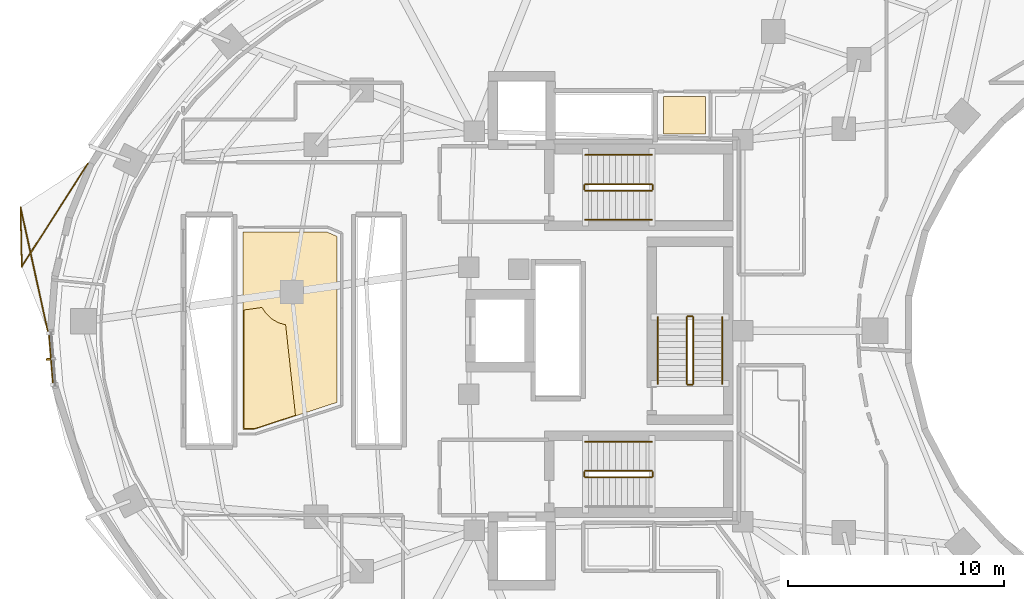
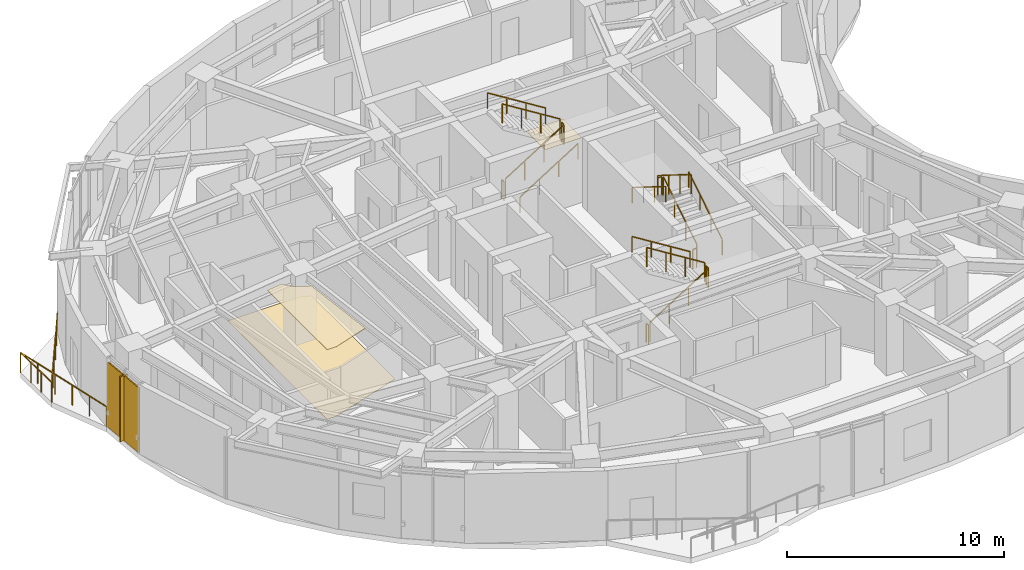
# One storey, part 14 of 15: 18 railings, 3 coverings, 2 shading devices.
"""IFC4 building model written with IfcOpenShell, lengths in metres."""

from ifc_helpers import new_model, si_unit, direction, frame, origin, origin_2d, place, context, subcontext, project, spatial, polyline, rectangle, outline, extrude, material, layer, layer_set, type_object, element, save


model = new_model("IFC4")

# Units and contexts
model_context = context("Model", 3, precision=1e-05, world=origin(), true_north=direction((0.0, 1.0)))
body_context = subcontext(model_context, "Body", "Model", "MODEL_VIEW")
ifc_project = project(units=[si_unit("LENGTHUNIT", "METRE"), si_unit("AREAUNIT", "SQUARE_METRE"), si_unit("VOLUMEUNIT", "CUBIC_METRE"), si_unit("PLANEANGLEUNIT", "RADIAN"), si_unit("MASSUNIT", "GRAM", prefix="KILO")], contexts=[model_context])

# Site, building, storey
site_placement = place(None, origin())
site = spatial("IfcSite", under=ifc_project, at=site_placement, CompositionType="ELEMENT")
building_placement = place(site_placement, origin())
building = spatial("IfcBuilding", under=site, at=building_placement, Name="Korentha Bioscience Tower", CompositionType="ELEMENT")
storey_placement = place(building_placement, frame((0.0, 0.0, 94.199951171875)))
storey = spatial("IfcBuildingStorey", under=building, at=storey_placement, Name="L21", CompositionType="ELEMENT", Elevation=94.199951171875)

# Covering
ifc_material_1 = material(Name="Vitrified Porcelain Tile", Category="ceramic")
ifc_layer_1 = layer(ifc_material_1, 0.014892578125, Name="Vitrified Porcelain Tile")
ifc_layer_set_1 = layer_set([ifc_layer_1], Name="Vitrified Porcelain Tile (FL-CER)")
covering_type_1 = type_object("IfcCoveringType", Name="Anti-Slip Ceramic Wet-Room Tile Flooring 15", PredefinedType="FLOORING", material=ifc_layer_set_1)
covering_1_placement = place(storey_placement, origin())
element("IfcCovering", 1, at=covering_1_placement, inside=storey, type_object=covering_type_1, Name="L21 Accessible Staff WC Floor Finish", PredefinedType="FLOORING", context=body_context, shape_type="SweptSolid", body=[
    extrude(outline(polyline([(33.8701171875, 36.1298828125), (33.8701171875, 37.8701171875), (35.830078125, 37.8701171875), (35.830078125, 36.1298828125), (33.8701171875, 36.1298828125)])), origin(), (0.0, 0.0, 1.0), 0.01513671875),
])

# Railings
ifc_material_2 = material(Name="Stainless Steel 304", Category="steel")
railing_type_1 = type_object("IfcRailingType", Name="Brushed Stainless Stair Handrail 900", PredefinedType="HANDRAIL", material=ifc_material_2)
railing_1_placement = place(storey_placement, frame((30.25, 32.14990234375, 0.175048828125)))
element("IfcRailing", 2, at=railing_1_placement, inside=storey, type_object=railing_type_1, Name="L21 ST-1 stair handrail 1", PredefinedType="HANDRAIL", context=body_context, shape_type="SweptSolid", body=[
    extrude(rectangle(XDim=0.048095703125, YDim=0.048095703125, at=origin_2d()), frame((0.0, 0.0, 0.8759765625), z_axis=(0.847998304005, 0.0, 0.529998940003), x_axis=(0.0, 1.0, 0.0)), (0.0, 0.0, 1.0), 3.632080078125),
    extrude(rectangle(XDim=0.0419921875, YDim=0.0419921875, at=origin_2d()), origin(), (0.0, 0.0, 1.0), 0.851806640625),
    extrude(rectangle(XDim=0.0419921875, YDim=0.0419921875, at=origin_2d()), frame((1.026611328125, 0.0, 0.6416015625)), (0.0, 0.0, 1.0), 0.851806640625),
    extrude(rectangle(XDim=0.0419921875, YDim=0.0419921875, at=origin_2d()), frame((2.053466796875, 0.0, 1.283447265625)), (0.0, 0.0, 1.0), 0.851806640625),
    extrude(rectangle(XDim=0.0419921875, YDim=0.0419921875, at=origin_2d()), frame((3.080078125, 0.0, 1.925048828125)), (0.0, 0.0, 1.0), 0.851806640625),
])
for number, where, name in (
    (3, (33.330078125, 35.14990234375, 2.275146484375), "L21 ST-1 stair handrail 2"),
    (4, (33.330078125, 21.85009765625, 2.275146484375), "L21 ST-2 stair handrail 2"),
):
    element("IfcRailing", number, at=place(storey_placement, frame(where)), inside=storey, type_object=railing_type_1, Name=name, PredefinedType="HANDRAIL", context=body_context, shape_type="SweptSolid", body=[
        extrude(rectangle(XDim=0.048095703125, YDim=0.048095703125, at=origin_2d()), frame((0.0, 0.0, 0.8759765625), z_axis=(-0.848028513186, 0.0, 0.529950602248), x_axis=(0.0, -1.0, 0.0)), (0.0, 0.0, 1.0), 3.632080078125),
        extrude(rectangle(XDim=0.0419921875, YDim=0.0419921875, at=origin_2d()), origin(), (0.0, 0.0, 1.0), 0.851806640625),
        extrude(rectangle(XDim=0.0419921875, YDim=0.0419921875, at=origin_2d()), frame((-1.026611328125, 0.0, 0.6416015625)), (0.0, 0.0, 1.0), 0.851806640625),
        extrude(rectangle(XDim=0.0419921875, YDim=0.0419921875, at=origin_2d()), frame((-2.053466796875, 0.0, 1.283203125)), (0.0, 0.0, 1.0), 0.851806640625),
        extrude(rectangle(XDim=0.0419921875, YDim=0.0419921875, at=origin_2d()), frame((-3.080078125, 0.0, 1.9248046875)), (0.0, 0.0, 1.0), 0.851806640625),
    ])
railing_2_placement = place(storey_placement, frame((36.60009765625, 24.550048828125, 0.175048828125)))
element("IfcRailing", 5, at=railing_2_placement, inside=storey, type_object=railing_type_1, Name="L21 ST-3 stair handrail 1", PredefinedType="HANDRAIL", context=body_context, shape_type="SweptSolid", body=[
    extrude(rectangle(XDim=0.048095703125, YDim=0.048095703125, at=origin_2d()), frame((0.0, 0.0, 0.8759765625), z_axis=(0.0, 0.847979421464, 0.530029150871), x_axis=(-1.0, 0.0, 0.0)), (0.0, 0.0, 1.0), 3.632080078125),
    extrude(rectangle(XDim=0.0419921875, YDim=0.0419921875, at=origin_2d()), origin(), (0.0, 0.0, 1.0), 0.851806640625),
    extrude(rectangle(XDim=0.0419921875, YDim=0.0419921875, at=origin_2d()), frame((0.0, 1.026611328125, 0.6416015625)), (0.0, 0.0, 1.0), 0.851806640625),
    extrude(rectangle(XDim=0.0419921875, YDim=0.0419921875, at=origin_2d()), frame((0.0, 2.05322265625, 1.283447265625)), (0.0, 0.0, 1.0), 0.851806640625),
    extrude(rectangle(XDim=0.0419921875, YDim=0.0419921875, at=origin_2d()), frame((0.0, 3.079833984375, 1.925048828125)), (0.0, 0.0, 1.0), 0.851806640625),
])
railing_3_placement = place(storey_placement, frame((33.60009765625, 27.6298828125, 2.275146484375)))
element("IfcRailing", 6, at=railing_3_placement, inside=storey, type_object=railing_type_1, Name="L21 ST-3 stair handrail 2", PredefinedType="HANDRAIL", context=body_context, shape_type="SweptSolid", body=[
    extrude(rectangle(XDim=0.048095703125, YDim=0.048095703125, at=origin_2d()), frame((0.0, 0.0, 0.8759765625), z_axis=(0.0, -0.848009633417, 0.529980812513), x_axis=(1.0, 0.0, 0.0)), (0.0, 0.0, 1.0), 3.6318359375),
    extrude(rectangle(XDim=0.0419921875, YDim=0.0419921875, at=origin_2d()), origin(), (0.0, 0.0, 1.0), 0.851806640625),
    extrude(rectangle(XDim=0.0419921875, YDim=0.0419921875, at=origin_2d()), frame((0.0, -1.026611328125, 0.6416015625)), (0.0, 0.0, 1.0), 0.851806640625),
    extrude(rectangle(XDim=0.0419921875, YDim=0.0419921875, at=origin_2d()), frame((0.0, -2.05322265625, 1.283203125)), (0.0, 0.0, 1.0), 0.851806640625),
    extrude(rectangle(XDim=0.0419921875, YDim=0.0419921875, at=origin_2d()), frame((0.0, -3.079833984375, 1.9248046875)), (0.0, 0.0, 1.0), 0.851806640625),
])
ifc_material_3 = material(Name="Laminated Tempered Safety Glass", Category="glass")
railing_type_2 = type_object("IfcRailingType", Name="Laminated Glass Balcony Guardrail 1150", PredefinedType="BALUSTRADE", material=ifc_material_3)
railing_4_placement = place(storey_placement, frame((7.17626953125, 34.74609375, 0.0)))
element("IfcRailing", 7, at=railing_4_placement, inside=storey, type_object=railing_type_2, Name="L21 Balcony Guardrail 02", PredefinedType="BALUSTRADE", context=body_context, shape_type="SweptSolid", body=[
    extrude(rectangle(XDim=0.048095703125, YDim=0.048095703125, at=origin_2d()), frame((0.0, 0.0, 1.1259765625), z_axis=(-0.539985183443, -0.841674522403, 0.0), x_axis=(0.841674522403, -0.539985183443, 0.0)), (0.0, 0.0, 1.0), 5.6728515625),
    extrude(rectangle(XDim=0.048095703125, YDim=0.048095703125, at=origin_2d()), frame((-3.063232421875, -4.774658203125, 1.1259765625), z_axis=(-0.020618734894, 0.999787411289, 0.0), x_axis=(-0.999787411289, -0.020618734894, 0.0)), (0.0, 0.0, 1.0), 2.7587890625),
    extrude(rectangle(XDim=0.048095703125, YDim=0.048095703125, at=origin_2d()), frame((-3.1201171875, -2.016357421875, 1.1259765625), z_axis=(0.214417947437, -0.976742004737, 0.0), x_axis=(0.976742004737, 0.214417947437, 0.0)), (0.0, 0.0, 1.0), 5.8662109375),
    extrude(rectangle(XDim=0.0419921875, YDim=0.0419921875, at=origin_2d()), origin(), (0.0, 0.0, 1.0), 1.101806640625),
    extrude(rectangle(XDim=0.0419921875, YDim=0.0419921875, at=origin_2d()), frame((-0.612548828125, -0.954833984375, 0.0)), (0.0, 0.0, 1.0), 1.101806640625),
    extrude(rectangle(XDim=0.0419921875, YDim=0.0419921875, at=origin_2d()), frame((-1.225341796875, -1.909912109375, 0.0)), (0.0, 0.0, 1.0), 1.101806640625),
    extrude(rectangle(XDim=0.0419921875, YDim=0.0419921875, at=origin_2d()), frame((-1.837890625, -2.86474609375, 0.0)), (0.0, 0.0, 1.0), 1.101806640625),
    extrude(rectangle(XDim=0.0419921875, YDim=0.0419921875, at=origin_2d()), frame((-2.45068359375, -3.81982421875, 0.0)), (0.0, 0.0, 1.0), 1.101806640625),
    extrude(rectangle(XDim=0.0419921875, YDim=0.0419921875, at=origin_2d()), frame((-3.063232421875, -4.774658203125, 0.0)), (0.0, 0.0, 1.0), 1.101806640625),
    extrude(rectangle(XDim=0.0419921875, YDim=0.0419921875, at=origin_2d()), frame((-3.082275390625, -3.855224609375, 0.0)), (0.0, 0.0, 1.0), 1.101806640625),
    extrude(rectangle(XDim=0.0419921875, YDim=0.0419921875, at=origin_2d()), frame((-3.10107421875, -2.935791015625, 0.0)), (0.0, 0.0, 1.0), 1.101806640625),
    extrude(rectangle(XDim=0.0419921875, YDim=0.0419921875, at=origin_2d()), frame((-3.1201171875, -2.016357421875, 0.0)), (0.0, 0.0, 1.0), 1.101806640625),
    extrude(rectangle(XDim=0.0419921875, YDim=0.0419921875, at=origin_2d()), frame((-2.86865234375, -3.162353515625, 0.0)), (0.0, 0.0, 1.0), 1.101806640625),
    extrude(rectangle(XDim=0.0419921875, YDim=0.0419921875, at=origin_2d()), frame((-2.616943359375, -4.308349609375, 0.0)), (0.0, 0.0, 1.0), 1.101806640625),
    extrude(rectangle(XDim=0.0419921875, YDim=0.0419921875, at=origin_2d()), frame((-2.365478515625, -5.4541015625, 0.0)), (0.0, 0.0, 1.0), 1.101806640625),
    extrude(rectangle(XDim=0.0419921875, YDim=0.0419921875, at=origin_2d()), frame((-2.11376953125, -6.60009765625, 0.0)), (0.0, 0.0, 1.0), 1.101806640625),
    extrude(rectangle(XDim=0.0419921875, YDim=0.0419921875, at=origin_2d()), frame((-1.8623046875, -7.74609375, 0.0)), (0.0, 0.0, 1.0), 1.101806640625),
])

# Covering
ifc_material_4 = material(Name="Antimicrobial Mineral Fibre Board", Category="gypsum")
ifc_layer_2 = layer(ifc_material_4, 0.034912109375, Name="Antimicrobial Mineral Fibre Board")
ifc_layer_set_2 = layer_set([ifc_layer_2], Name="Antimicrobial Mineral Fibre Board (CL-MF35)")
covering_type_2 = type_object("IfcCoveringType", Name="Mineral-Fibre Cleanroom Suspended Ceiling 35", PredefinedType="CEILING", material=ifc_layer_set_2)
covering_2_placement = place(storey_placement, frame((0.0, 0.0, 3.864990234375)))
element("IfcCovering", 8, at=covering_2_placement, inside=storey, type_object=covering_type_2, Name="L21 Senior Scientist Corner Office 11 Acoustic Ceiling", PredefinedType="CEILING", context=body_context, shape_type="SweptSolid", body=[
    extrude(outline(polyline([(14.409912109375, 22.4599609375), (14.409912109375, 27.96044921875), (15.25390625, 28.078857421875), (15.428955078125, 27.813232421875), (15.643798828125, 27.598388671875), (15.76611328125, 27.5078125), (16.033935546875, 27.364501953125), (16.35009765625, 27.272705078125), (16.805419921875, 23.080810546875), (14.906494140625, 22.4599609375), (14.409912109375, 22.4599609375)])), origin(), (0.0, 0.0, 1.0), 0.03515625),
])

# Railings
ifc_material_5 = material(Name="Painted Steel S275", Category="steel")
railing_type_3 = type_object("IfcRailingType", Name="Painted Steel Stair Well Guardrail 1100", PredefinedType="GUARDRAIL", material=ifc_material_5)
railing_5_placement = place(storey_placement, frame((30.25, 33.5, 0.175048828125)))
element("IfcRailing", 9, at=railing_5_placement, inside=storey, type_object=railing_type_3, Name="L21 ST-1 stair guard 1", PredefinedType="GUARDRAIL", context=body_context, shape_type="SweptSolid", body=[
    extrude(rectangle(XDim=0.048095703125, YDim=0.048095703125, at=origin_2d()), frame((0.0, 0.0, 1.076171875), z_axis=(0.847998304005, 0.0, 0.529998940003), x_axis=(0.0, 1.0, 0.0)), (0.0, 0.0, 1.0), 3.632080078125),
    extrude(rectangle(XDim=0.0419921875, YDim=0.0419921875, at=origin_2d()), origin(), (0.0, 0.0, 1.0), 1.052001953125),
    extrude(rectangle(XDim=0.0419921875, YDim=0.0419921875, at=origin_2d()), frame((1.026611328125, 0.0, 0.6416015625)), (0.0, 0.0, 1.0), 1.052001953125),
    extrude(rectangle(XDim=0.0419921875, YDim=0.0419921875, at=origin_2d()), frame((2.053466796875, 0.0, 1.283447265625)), (0.0, 0.0, 1.0), 1.052001953125),
    extrude(rectangle(XDim=0.0419921875, YDim=0.0419921875, at=origin_2d()), frame((3.080078125, 0.0, 1.925048828125)), (0.0, 0.0, 1.0), 1.052001953125),
])
railing_6_placement = place(storey_placement, frame((33.3798828125, 33.550048828125, 2.10009765625)))
element("IfcRailing", 10, at=railing_6_placement, inside=storey, type_object=railing_type_3, Name="L21 ST-1 stair guard 2", PredefinedType="GUARDRAIL", context=body_context, shape_type="SweptSolid", body=[
    extrude(rectangle(XDim=0.048095703125, YDim=0.048095703125, at=origin_2d()), frame((0.0, 0.0, 1.076171875), z_axis=(0.0, 1.0, 0.0), x_axis=(-1.0, 0.0, 0.0)), (0.0, 0.0, 1.0), 0.199951171875),
    extrude(rectangle(XDim=0.0419921875, YDim=0.0419921875, at=origin_2d()), origin(), (0.0, 0.0, 1.0), 1.052001953125),
    extrude(rectangle(XDim=0.0419921875, YDim=0.0419921875, at=origin_2d()), frame((0.0, 0.199951171875, 0.0)), (0.0, 0.0, 1.0), 1.052001953125),
])
railing_7_placement = place(storey_placement, frame((33.330078125, 33.800048828125, 2.275146484375)))
element("IfcRailing", 11, at=railing_7_placement, inside=storey, type_object=railing_type_3, Name="L21 ST-1 stair guard 3", PredefinedType="GUARDRAIL", context=body_context, shape_type="SweptSolid", body=[
    extrude(rectangle(XDim=0.048095703125, YDim=0.048095703125, at=origin_2d()), frame((0.0, 0.0, 1.076171875), z_axis=(-0.848028513186, 0.0, 0.529950602248), x_axis=(0.0, -1.0, 0.0)), (0.0, 0.0, 1.0), 3.632080078125),
    extrude(rectangle(XDim=0.0419921875, YDim=0.0419921875, at=origin_2d()), origin(), (0.0, 0.0, 1.0), 1.052001953125),
    extrude(rectangle(XDim=0.0419921875, YDim=0.0419921875, at=origin_2d()), frame((-1.026611328125, 0.0, 0.6416015625)), (0.0, 0.0, 1.0), 1.052001953125),
    extrude(rectangle(XDim=0.0419921875, YDim=0.0419921875, at=origin_2d()), frame((-2.053466796875, 0.0, 1.283203125)), (0.0, 0.0, 1.0), 1.052001953125),
    extrude(rectangle(XDim=0.0419921875, YDim=0.0419921875, at=origin_2d()), frame((-3.080078125, 0.0, 1.9248046875)), (0.0, 0.0, 1.0), 1.052001953125),
])
railing_8_placement = place(storey_placement, frame((30.199951171875, 33.550048828125, 0.0)))
element("IfcRailing", 12, at=railing_8_placement, inside=storey, type_object=railing_type_3, Name="L21 ST-1 stair guard 4", PredefinedType="GUARDRAIL", context=body_context, shape_type="SweptSolid", body=[
    extrude(rectangle(XDim=0.048095703125, YDim=0.048095703125, at=origin_2d()), frame((0.0, 0.0, 1.076171875), z_axis=(0.0, 1.0, 0.0), x_axis=(-1.0, 0.0, 0.0)), (0.0, 0.0, 1.0), 0.199951171875),
    extrude(rectangle(XDim=0.0419921875, YDim=0.0419921875, at=origin_2d()), origin(), (0.0, 0.0, 1.0), 1.052001953125),
    extrude(rectangle(XDim=0.0419921875, YDim=0.0419921875, at=origin_2d()), frame((0.0, 0.199951171875, 0.0)), (0.0, 0.0, 1.0), 1.052001953125),
])
railing_9_placement = place(storey_placement, frame((30.25, 20.199951171875, 0.175048828125)))
element("IfcRailing", 13, at=railing_9_placement, inside=storey, type_object=railing_type_3, Name="L21 ST-2 stair guard 1", PredefinedType="GUARDRAIL", context=body_context, shape_type="SweptSolid", body=[
    extrude(rectangle(XDim=0.048095703125, YDim=0.048095703125, at=origin_2d()), frame((0.0, 0.0, 1.076171875), z_axis=(0.847998304005, 0.0, 0.529998940003), x_axis=(0.0, 1.0, 0.0)), (0.0, 0.0, 1.0), 3.632080078125),
    extrude(rectangle(XDim=0.0419921875, YDim=0.0419921875, at=origin_2d()), origin(), (0.0, 0.0, 1.0), 1.052001953125),
    extrude(rectangle(XDim=0.0419921875, YDim=0.0419921875, at=origin_2d()), frame((1.026611328125, 0.0, 0.6416015625)), (0.0, 0.0, 1.0), 1.052001953125),
    extrude(rectangle(XDim=0.0419921875, YDim=0.0419921875, at=origin_2d()), frame((2.053466796875, 0.0, 1.283447265625)), (0.0, 0.0, 1.0), 1.052001953125),
    extrude(rectangle(XDim=0.0419921875, YDim=0.0419921875, at=origin_2d()), frame((3.080078125, 0.0, 1.925048828125)), (0.0, 0.0, 1.0), 1.052001953125),
])
railing_10_placement = place(storey_placement, frame((33.3798828125, 20.25, 2.10009765625)))
element("IfcRailing", 14, at=railing_10_placement, inside=storey, type_object=railing_type_3, Name="L21 ST-2 stair guard 2", PredefinedType="GUARDRAIL", context=body_context, shape_type="SweptSolid", body=[
    extrude(rectangle(XDim=0.048095703125, YDim=0.048095703125, at=origin_2d()), frame((0.0, 0.0, 1.076171875), z_axis=(0.0, 1.0, 0.0), x_axis=(-1.0, 0.0, 0.0)), (0.0, 0.0, 1.0), 0.199951171875),
    extrude(rectangle(XDim=0.0419921875, YDim=0.0419921875, at=origin_2d()), origin(), (0.0, 0.0, 1.0), 1.052001953125),
    extrude(rectangle(XDim=0.0419921875, YDim=0.0419921875, at=origin_2d()), frame((0.0, 0.199951171875, 0.0)), (0.0, 0.0, 1.0), 1.052001953125),
])
railing_11_placement = place(storey_placement, frame((33.330078125, 20.5, 2.275146484375)))
element("IfcRailing", 15, at=railing_11_placement, inside=storey, type_object=railing_type_3, Name="L21 ST-2 stair guard 3", PredefinedType="GUARDRAIL", context=body_context, shape_type="SweptSolid", body=[
    extrude(rectangle(XDim=0.048095703125, YDim=0.048095703125, at=origin_2d()), frame((0.0, 0.0, 1.076171875), z_axis=(-0.848028513186, 0.0, 0.529950602248), x_axis=(0.0, -1.0, 0.0)), (0.0, 0.0, 1.0), 3.632080078125),
    extrude(rectangle(XDim=0.0419921875, YDim=0.0419921875, at=origin_2d()), origin(), (0.0, 0.0, 1.0), 1.052001953125),
    extrude(rectangle(XDim=0.0419921875, YDim=0.0419921875, at=origin_2d()), frame((-1.026611328125, 0.0, 0.6416015625)), (0.0, 0.0, 1.0), 1.052001953125),
    extrude(rectangle(XDim=0.0419921875, YDim=0.0419921875, at=origin_2d()), frame((-2.053466796875, 0.0, 1.283203125)), (0.0, 0.0, 1.0), 1.052001953125),
    extrude(rectangle(XDim=0.0419921875, YDim=0.0419921875, at=origin_2d()), frame((-3.080078125, 0.0, 1.9248046875)), (0.0, 0.0, 1.0), 1.052001953125),
])
railing_12_placement = place(storey_placement, frame((30.199951171875, 20.25, 0.0)))
element("IfcRailing", 16, at=railing_12_placement, inside=storey, type_object=railing_type_3, Name="L21 ST-2 stair guard 4", PredefinedType="GUARDRAIL", context=body_context, shape_type="SweptSolid", body=[
    extrude(rectangle(XDim=0.048095703125, YDim=0.048095703125, at=origin_2d()), frame((0.0, 0.0, 1.076171875), z_axis=(0.0, 1.0, 0.0), x_axis=(-1.0, 0.0, 0.0)), (0.0, 0.0, 1.0), 0.199951171875),
    extrude(rectangle(XDim=0.0419921875, YDim=0.0419921875, at=origin_2d()), origin(), (0.0, 0.0, 1.0), 1.052001953125),
    extrude(rectangle(XDim=0.0419921875, YDim=0.0419921875, at=origin_2d()), frame((0.0, 0.199951171875, 0.0)), (0.0, 0.0, 1.0), 1.052001953125),
])
railing_13_placement = place(storey_placement, frame((35.25, 24.550048828125, 0.175048828125)))
element("IfcRailing", 17, at=railing_13_placement, inside=storey, type_object=railing_type_3, Name="L21 ST-3 stair guard 1", PredefinedType="GUARDRAIL", context=body_context, shape_type="SweptSolid", body=[
    extrude(rectangle(XDim=0.048095703125, YDim=0.048095703125, at=origin_2d()), frame((0.0, 0.0, 1.076171875), z_axis=(0.0, 0.847979421464, 0.530029150871), x_axis=(-1.0, 0.0, 0.0)), (0.0, 0.0, 1.0), 3.632080078125),
    extrude(rectangle(XDim=0.0419921875, YDim=0.0419921875, at=origin_2d()), origin(), (0.0, 0.0, 1.0), 1.052001953125),
    extrude(rectangle(XDim=0.0419921875, YDim=0.0419921875, at=origin_2d()), frame((0.0, 1.026611328125, 0.6416015625)), (0.0, 0.0, 1.0), 1.052001953125),
    extrude(rectangle(XDim=0.0419921875, YDim=0.0419921875, at=origin_2d()), frame((0.0, 2.05322265625, 1.283447265625)), (0.0, 0.0, 1.0), 1.052001953125),
    extrude(rectangle(XDim=0.0419921875, YDim=0.0419921875, at=origin_2d()), frame((0.0, 3.079833984375, 1.925048828125)), (0.0, 0.0, 1.0), 1.052001953125),
])
railing_14_placement = place(storey_placement, frame((35.199951171875, 27.679931640625, 2.10009765625)))
element("IfcRailing", 18, at=railing_14_placement, inside=storey, type_object=railing_type_3, Name="L21 ST-3 stair guard 2", PredefinedType="GUARDRAIL", context=body_context, shape_type="SweptSolid", body=[
    extrude(rectangle(XDim=0.048095703125, YDim=0.048095703125, at=origin_2d()), frame((0.0, 0.0, 1.076171875), z_axis=(-1.0, 0.0, 0.0), x_axis=(0.0, -1.0, 0.0)), (0.0, 0.0, 1.0), 0.199951171875),
    extrude(rectangle(XDim=0.0419921875, YDim=0.0419921875, at=origin_2d()), origin(), (0.0, 0.0, 1.0), 1.052001953125),
    extrude(rectangle(XDim=0.0419921875, YDim=0.0419921875, at=origin_2d()), frame((-0.199951171875, 0.0, 0.0)), (0.0, 0.0, 1.0), 1.052001953125),
])
railing_15_placement = place(storey_placement, frame((34.949951171875, 27.6298828125, 2.275146484375)))
element("IfcRailing", 19, at=railing_15_placement, inside=storey, type_object=railing_type_3, Name="L21 ST-3 stair guard 3", PredefinedType="GUARDRAIL", context=body_context, shape_type="SweptSolid", body=[
    extrude(rectangle(XDim=0.048095703125, YDim=0.048095703125, at=origin_2d()), frame((0.0, 0.0, 1.076171875), z_axis=(0.0, -0.848009633417, 0.529980812513), x_axis=(1.0, 0.0, 0.0)), (0.0, 0.0, 1.0), 3.6318359375),
    extrude(rectangle(XDim=0.0419921875, YDim=0.0419921875, at=origin_2d()), origin(), (0.0, 0.0, 1.0), 1.052001953125),
    extrude(rectangle(XDim=0.0419921875, YDim=0.0419921875, at=origin_2d()), frame((0.0, -1.026611328125, 0.6416015625)), (0.0, 0.0, 1.0), 1.052001953125),
    extrude(rectangle(XDim=0.0419921875, YDim=0.0419921875, at=origin_2d()), frame((0.0, -2.05322265625, 1.283203125)), (0.0, 0.0, 1.0), 1.052001953125),
    extrude(rectangle(XDim=0.0419921875, YDim=0.0419921875, at=origin_2d()), frame((0.0, -3.079833984375, 1.9248046875)), (0.0, 0.0, 1.0), 1.052001953125),
])
railing_16_placement = place(storey_placement, frame((35.199951171875, 24.5, 0.0)))
element("IfcRailing", 20, at=railing_16_placement, inside=storey, type_object=railing_type_3, Name="L21 ST-3 stair guard 4", PredefinedType="GUARDRAIL", context=body_context, shape_type="SweptSolid", body=[
    extrude(rectangle(XDim=0.048095703125, YDim=0.048095703125, at=origin_2d()), frame((0.0, 0.0, 1.076171875), z_axis=(-1.0, 0.0, 0.0), x_axis=(0.0, -1.0, 0.0)), (0.0, 0.0, 1.0), 0.199951171875),
    extrude(rectangle(XDim=0.0419921875, YDim=0.0419921875, at=origin_2d()), origin(), (0.0, 0.0, 1.0), 1.052001953125),
    extrude(rectangle(XDim=0.0419921875, YDim=0.0419921875, at=origin_2d()), frame((-0.199951171875, 0.0, 0.0)), (0.0, 0.0, 1.0), 1.052001953125),
])

# Shading device
ifc_material_6 = material(Name="Perforated Stone-Ceramic Composite", Category="masonry")
ifc_layer_3 = layer(ifc_material_6, 0.06494140625, Name="Perforated Stone-Ceramic Composite")
ifc_layer_set_3 = layer_set([ifc_layer_3], Name="Perforated Stone-Ceramic Composite (CS-01)")
shading_device_type_1 = type_object("IfcShadingDeviceType", Name="Perforated Stone-Ceramic Solar Screen Panel 65", PredefinedType="USERDEFINED", material=ifc_layer_set_3)
shading_device_1_placement = place(storey_placement, frame((5.478271484375, 25.6884765625, 0.0), z_axis=(0.0, 0.0, 1.0), x_axis=(0.079130214674, -0.996864288219, 0.0)))
element("IfcShadingDevice", 21, at=shading_device_1_placement, inside=storey, type_object=shading_device_type_1, Name="CW-L21-19 Perforated Stone-Ceramic Solar Screen", ObjectType="SCREEN", PredefinedType="USERDEFINED", context=body_context, shape_type="SweptSolid", body=[
    extrude(rectangle(XDim=2.540771484375, YDim=0.06494140625, at=origin_2d()), origin(), (0.0, 0.0, 1.0), 3.64990234375),
])

# Covering
ifc_material_7 = material(Name="Chemical-Resistant Epoxy Resin", Category="polymer")
ifc_layer_4 = layer(ifc_material_7, 0.011962890625, Name="Chemical-Resistant Epoxy Resin")
ifc_layer_set_4 = layer_set([ifc_layer_4], Name="Chemical-Resistant Epoxy Resin (FL-EPX)")
covering_type_3 = type_object("IfcCoveringType", Name="Seamless Epoxy Laboratory Flooring 12", PredefinedType="FLOORING", material=ifc_layer_set_4)
covering_3_placement = place(storey_placement, origin())
element("IfcCovering", 22, at=covering_3_placement, inside=storey, type_object=covering_type_3, Name="L21 Senior Scientist Corner Office 11 Floor Finish", PredefinedType="FLOORING", context=body_context, shape_type="SweptSolid", body=[
    extrude(outline(polyline([(14.3798828125, 22.429931640625), (14.3798828125, 31.570068359375), (18.273193359375, 31.570068359375), (18.727783203125, 31.376953125), (18.727783203125, 23.677490234375), (14.9111328125, 22.429931640625), (14.3798828125, 22.429931640625)])), origin(), (0.0, 0.0, 1.0), 0.011962890625),
])

# Shading device
ifc_material_8 = material(Name="Honed Travertine Limestone", Category="masonry")
ifc_layer_5 = layer(ifc_material_8, 0.080078125, Name="Honed Travertine Limestone")
ifc_layer_set_5 = layer_set([ifc_layer_5], Name="Honed Travertine Limestone (CS-02)")
shading_device_type_2 = type_object("IfcShadingDeviceType", Name="Vertical Honed Limestone Sunshade Fin 80x420", PredefinedType="USERDEFINED", material=ifc_layer_set_5)
shading_device_2_placement = place(storey_placement, frame((5.458251953125, 25.68701171875, 0.0), z_axis=(0.0, 0.0, 1.0), x_axis=(0.079130214674, -0.996864288219, 0.0)))
element("IfcShadingDevice", 23, at=shading_device_2_placement, inside=storey, type_object=shading_device_type_2, Name="CW-L21-19 Limestone Sunshade Fin", ObjectType="SCREEN", PredefinedType="USERDEFINED", context=body_context, shape_type="SweptSolid", body=[
    extrude(rectangle(XDim=0.080078125, YDim=0.419921875, at=origin_2d()), origin(), (0.0, 0.0, 1.0), 3.64990234375),
])

save(model, "model.ifc")
